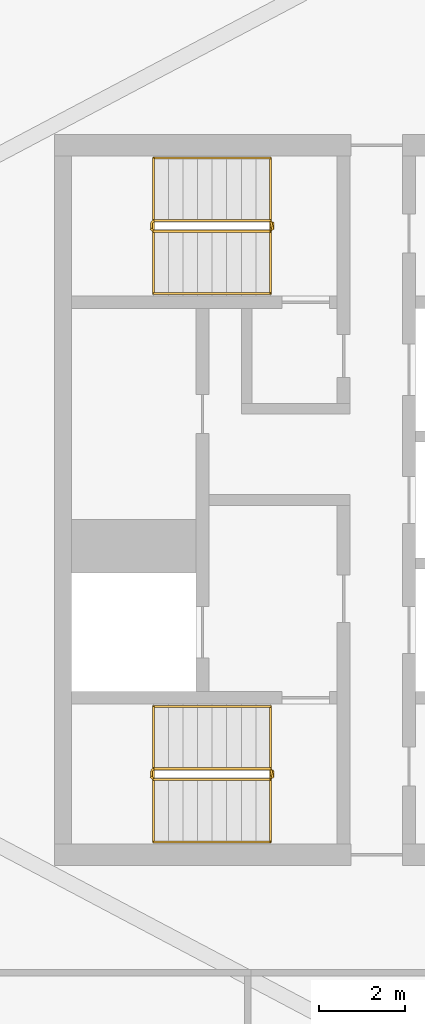
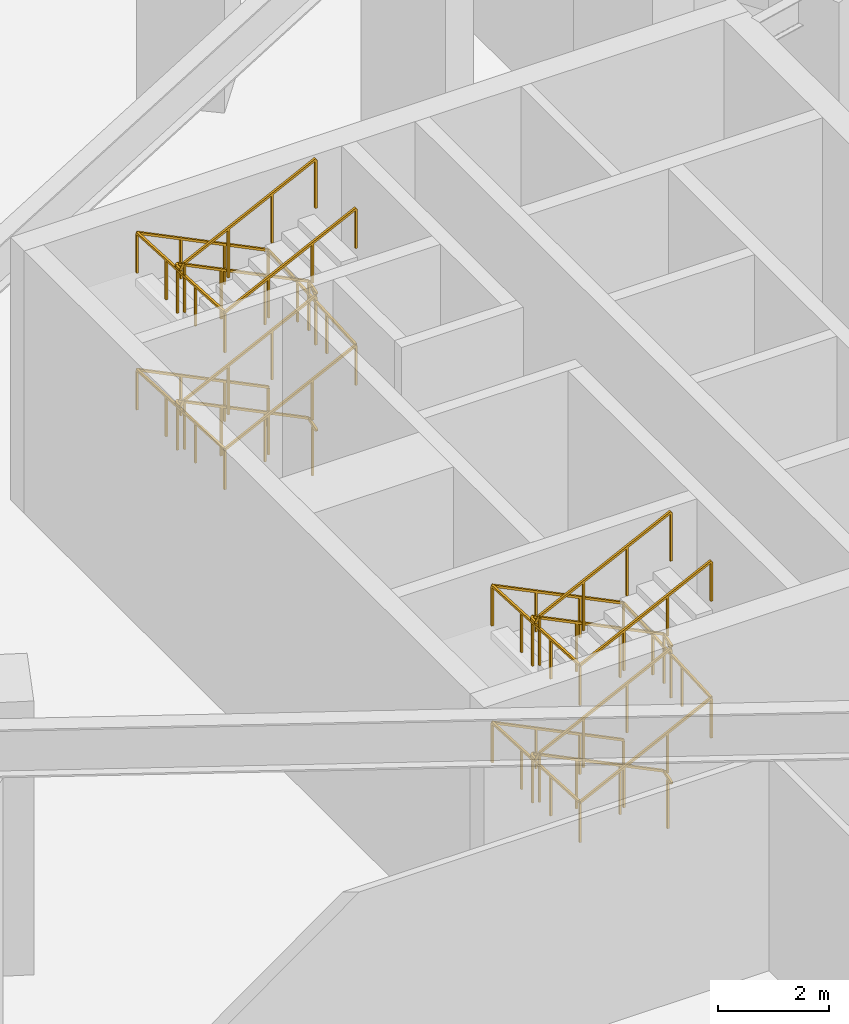
# One storey, part 66 of 74: 4 railings.
"""IFC4 building model written with IfcOpenShell, lengths in metres."""

from ifc_helpers import new_model, si_unit, direction, frame, origin, origin_2d, place, context, subcontext, project, spatial, rectangle, extrude, material, type_object, element, save


model = new_model("IFC4")

# Units and contexts
model_context = context("Model", 3, precision=1e-05, world=origin(), true_north=direction((0.0, 1.0)))
body_context = subcontext(model_context, "Body", "Model", "MODEL_VIEW")
ifc_project = project(units=[si_unit("LENGTHUNIT", "METRE"), si_unit("AREAUNIT", "SQUARE_METRE"), si_unit("VOLUMEUNIT", "CUBIC_METRE"), si_unit("PLANEANGLEUNIT", "RADIAN"), si_unit("MASSUNIT", "GRAM", prefix="KILO")], contexts=[model_context])

# Site, building, storey
site_placement = place(None, origin())
site = spatial("IfcSite", under=ifc_project, at=site_placement, CompositionType="ELEMENT")
building_placement = place(site_placement, origin())
building = spatial("IfcBuilding", under=site, at=building_placement, Name="Noorbagh Ring Tower", CompositionType="ELEMENT")
storey_placement = place(building_placement, frame((0.0, 0.0, 7.5)))
storey = spatial("IfcBuildingStorey", under=building, at=storey_placement, Name="L01", CompositionType="ELEMENT", Elevation=7.5)

# Railings
ifc_material_1 = material(Name="Stainless steel", Category="steel")
railing_type_1 = type_object("IfcRailingType", Name="CORE-STAIR-GUARD", PredefinedType="GUARDRAIL", material=ifc_material_1)
railing_1_placement = place(storey_placement, frame((21.580078125, 6.449951171875, 0.0)))
element("IfcRailing", 1, at=railing_1_placement, inside=storey, type_object=railing_type_1, Name="L01 ST3 stair guard", PredefinedType="GUARDRAIL", context=body_context, shape_type="SweptSolid", body=[
    extrude(rectangle(XDim=0.048095703125, YDim=0.048095703125, at=origin_2d()), frame((0.0, 0.0, 1.076171875), z_axis=(0.0, -1.0, 0.0), x_axis=(1.0, 0.0, 0.0)), (0.0, 0.0, 1.0), 0.14990234375),
    extrude(rectangle(XDim=0.048095703125, YDim=0.048095703125, at=origin_2d()), frame((0.0, -0.14990234375, 1.076171875), z_axis=(-0.188775798145, 0.754182335027, 0.628945707965), x_axis=(-0.970072785993, -0.242814311512, 0.0)), (0.0, 0.0, 1.0), 0.26513671875),
    extrude(rectangle(XDim=0.048095703125, YDim=0.048095703125, at=origin_2d()), frame((-0.050048828125, 0.050048828125, 1.24267578125), z_axis=(-0.897929466783, 0.0, 0.4401393787), x_axis=(0.0, -1.0, 0.0)), (0.0, 0.0, 1.0), 3.029052734375),
    extrude(rectangle(XDim=0.048095703125, YDim=0.048095703125, at=origin_2d()), frame((-2.77001953125, 0.050048828125, 2.576171875), z_axis=(-0.707106781187, -0.707106781187, 0.0), x_axis=(0.707106781187, -0.707106781187, 0.0)), (0.0, 0.0, 1.0), 0.07080078125),
    extrude(rectangle(XDim=0.048095703125, YDim=0.048095703125, at=origin_2d()), frame((-2.820068359375, 0.0, 2.576171875), z_axis=(0.0, -1.0, 0.0), x_axis=(1.0, 0.0, 0.0)), (0.0, 0.0, 1.0), 0.14990234375),
    extrude(rectangle(XDim=0.048095703125, YDim=0.048095703125, at=origin_2d()), frame((-2.820068359375, -0.14990234375, 2.576171875), z_axis=(0.27628659633, -0.27628659633, 0.920506074601), x_axis=(0.707106781187, 0.707106781187, 0.0)), (0.0, 0.0, 1.0), 0.18115234375),
    extrude(rectangle(XDim=0.048095703125, YDim=0.048095703125, at=origin_2d()), frame((-2.77001953125, -0.199951171875, 2.74267578125), z_axis=(0.897929466783, 0.0, 0.4401393787), x_axis=(0.0, 1.0, 0.0)), (0.0, 0.0, 1.0), 3.029052734375),
    extrude(rectangle(XDim=0.048095703125, YDim=0.048095703125, at=origin_2d()), frame((-0.050048828125, -0.199951171875, 4.076171875), z_axis=(0.242814311512, 0.970072785993, 0.0), x_axis=(-0.970072785993, 0.242814311512, 0.0)), (0.0, 0.0, 1.0), 0.2060546875),
    extrude(rectangle(XDim=0.048095703125, YDim=0.048095703125, at=origin_2d()), frame((0.0, 0.0, 4.076171875), z_axis=(0.0, -1.0, 0.0), x_axis=(1.0, 0.0, 0.0)), (0.0, 0.0, 1.0), 0.14990234375),
    extrude(rectangle(XDim=0.048095703125, YDim=0.048095703125, at=origin_2d()), frame((0.0, -0.14990234375, 4.076171875), z_axis=(-0.188775798145, 0.754182335027, 0.628945707965), x_axis=(-0.970072785993, -0.242814311512, 0.0)), (0.0, 0.0, 1.0), 0.26513671875),
    extrude(rectangle(XDim=0.048095703125, YDim=0.048095703125, at=origin_2d()), frame((-0.050048828125, 0.050048828125, 4.24267578125), z_axis=(-0.897929466783, 0.0, 0.4401393787), x_axis=(0.0, -1.0, 0.0)), (0.0, 0.0, 1.0), 3.029052734375),
    extrude(rectangle(XDim=0.048095703125, YDim=0.048095703125, at=origin_2d()), frame((-2.77001953125, 0.050048828125, 5.576171875), z_axis=(-0.707106781187, -0.707106781187, 0.0), x_axis=(0.707106781187, -0.707106781187, 0.0)), (0.0, 0.0, 1.0), 0.07080078125),
    extrude(rectangle(XDim=0.048095703125, YDim=0.048095703125, at=origin_2d()), frame((-2.820068359375, 0.0, 5.576171875), z_axis=(0.0, -1.0, 0.0), x_axis=(1.0, 0.0, 0.0)), (0.0, 0.0, 1.0), 0.14990234375),
    extrude(rectangle(XDim=0.048095703125, YDim=0.048095703125, at=origin_2d()), frame((-2.820068359375, -0.14990234375, 5.576171875), z_axis=(0.27628659633, -0.27628659633, 0.920506074601), x_axis=(0.707106781187, 0.707106781187, 0.0)), (0.0, 0.0, 1.0), 0.18115234375),
    extrude(rectangle(XDim=0.048095703125, YDim=0.048095703125, at=origin_2d()), frame((-2.77001953125, -0.199951171875, 5.74267578125), z_axis=(0.897929466783, 0.0, 0.4401393787), x_axis=(0.0, 1.0, 0.0)), (0.0, 0.0, 1.0), 3.029052734375),
    extrude(rectangle(XDim=0.0419921875, YDim=0.0419921875, at=origin_2d()), origin(), (0.0, 0.0, 1.0), 1.052001953125),
    extrude(rectangle(XDim=0.0419921875, YDim=0.0419921875, at=origin_2d()), frame((-0.956787109375, 0.050048828125, 0.611083984375)), (0.0, 0.0, 1.0), 1.052001953125),
    extrude(rectangle(XDim=0.0419921875, YDim=0.0419921875, at=origin_2d()), frame((-1.86328125, 0.050048828125, 1.0556640625)), (0.0, 0.0, 1.0), 1.052001953125),
    extrude(rectangle(XDim=0.0419921875, YDim=0.0419921875, at=origin_2d()), frame((-2.77001953125, 0.050048828125, 1.5)), (0.0, 0.0, 1.0), 1.052001953125),
    extrude(rectangle(XDim=0.0419921875, YDim=0.0419921875, at=origin_2d()), frame((-2.77001953125, -0.199951171875, 1.666748046875)), (0.0, 0.0, 1.0), 1.052001953125),
    extrude(rectangle(XDim=0.0419921875, YDim=0.0419921875, at=origin_2d()), frame((-1.86328125, -0.199951171875, 2.111083984375)), (0.0, 0.0, 1.0), 1.052001953125),
    extrude(rectangle(XDim=0.0419921875, YDim=0.0419921875, at=origin_2d()), frame((-0.956787109375, -0.199951171875, 2.5556640625)), (0.0, 0.0, 1.0), 1.052001953125),
    extrude(rectangle(XDim=0.0419921875, YDim=0.0419921875, at=origin_2d()), frame((-0.050048828125, -0.199951171875, 3.0)), (0.0, 0.0, 1.0), 1.052001953125),
    extrude(rectangle(XDim=0.0419921875, YDim=0.0419921875, at=origin_2d()), frame((-0.050048828125, 0.050048828125, 3.166748046875)), (0.0, 0.0, 1.0), 1.052001953125),
    extrude(rectangle(XDim=0.0419921875, YDim=0.0419921875, at=origin_2d()), frame((-0.956787109375, 0.050048828125, 3.611083984375)), (0.0, 0.0, 1.0), 1.052001953125),
    extrude(rectangle(XDim=0.0419921875, YDim=0.0419921875, at=origin_2d()), frame((-1.86328125, 0.050048828125, 4.0556640625)), (0.0, 0.0, 1.0), 1.052001953125),
    extrude(rectangle(XDim=0.0419921875, YDim=0.0419921875, at=origin_2d()), frame((-2.77001953125, 0.050048828125, 4.5)), (0.0, 0.0, 1.0), 1.052001953125),
    extrude(rectangle(XDim=0.0419921875, YDim=0.0419921875, at=origin_2d()), frame((-2.77001953125, -0.199951171875, 4.666748046875)), (0.0, 0.0, 1.0), 1.052001953125),
    extrude(rectangle(XDim=0.0419921875, YDim=0.0419921875, at=origin_2d()), frame((-1.86328125, -0.199951171875, 5.111083984375)), (0.0, 0.0, 1.0), 1.052001953125),
    extrude(rectangle(XDim=0.0419921875, YDim=0.0419921875, at=origin_2d()), frame((-0.956787109375, -0.199951171875, 5.5556640625)), (0.0, 0.0, 1.0), 1.052001953125),
    extrude(rectangle(XDim=0.0419921875, YDim=0.0419921875, at=origin_2d()), frame((-0.050048828125, -0.199951171875, 6.0)), (0.0, 0.0, 1.0), 1.052001953125),
])
railing_2_placement = place(storey_placement, frame((21.580078125, -6.300048828125, 0.0)))
element("IfcRailing", 2, at=railing_2_placement, inside=storey, type_object=railing_type_1, Name="L01 ST4 stair guard", PredefinedType="GUARDRAIL", context=body_context, shape_type="SweptSolid", body=[
    extrude(rectangle(XDim=0.048095703125, YDim=0.048095703125, at=origin_2d()), frame((0.0, 0.0, 1.076171875), z_axis=(0.0, -1.0, 0.0), x_axis=(1.0, 0.0, 0.0)), (0.0, 0.0, 1.0), 0.14990234375),
    extrude(rectangle(XDim=0.048095703125, YDim=0.048095703125, at=origin_2d()), frame((0.0, -0.14990234375, 1.076171875), z_axis=(-0.188775798145, 0.754182335027, 0.628945707965), x_axis=(-0.970072785993, -0.242814311512, 0.0)), (0.0, 0.0, 1.0), 0.26513671875),
    extrude(rectangle(XDim=0.048095703125, YDim=0.048095703125, at=origin_2d()), frame((-0.050048828125, 0.050048828125, 1.24267578125), z_axis=(-0.897929466783, 0.0, 0.4401393787), x_axis=(0.0, -1.0, 0.0)), (0.0, 0.0, 1.0), 3.029052734375),
    extrude(rectangle(XDim=0.048095703125, YDim=0.048095703125, at=origin_2d()), frame((-2.77001953125, 0.050048828125, 2.576171875), z_axis=(-0.707106781187, -0.707106781187, 0.0), x_axis=(0.707106781187, -0.707106781187, 0.0)), (0.0, 0.0, 1.0), 0.07080078125),
    extrude(rectangle(XDim=0.048095703125, YDim=0.048095703125, at=origin_2d()), frame((-2.820068359375, 0.0, 2.576171875), z_axis=(0.0, -1.0, 0.0), x_axis=(1.0, 0.0, 0.0)), (0.0, 0.0, 1.0), 0.14990234375),
    extrude(rectangle(XDim=0.048095703125, YDim=0.048095703125, at=origin_2d()), frame((-2.820068359375, -0.14990234375, 2.576171875), z_axis=(0.27628659633, -0.27628659633, 0.920506074601), x_axis=(0.707106781187, 0.707106781187, 0.0)), (0.0, 0.0, 1.0), 0.18115234375),
    extrude(rectangle(XDim=0.048095703125, YDim=0.048095703125, at=origin_2d()), frame((-2.77001953125, -0.199951171875, 2.74267578125), z_axis=(0.897929466783, 0.0, 0.4401393787), x_axis=(0.0, 1.0, 0.0)), (0.0, 0.0, 1.0), 3.029052734375),
    extrude(rectangle(XDim=0.048095703125, YDim=0.048095703125, at=origin_2d()), frame((-0.050048828125, -0.199951171875, 4.076171875), z_axis=(0.242814311512, 0.970072785993, 0.0), x_axis=(-0.970072785993, 0.242814311512, 0.0)), (0.0, 0.0, 1.0), 0.2060546875),
    extrude(rectangle(XDim=0.048095703125, YDim=0.048095703125, at=origin_2d()), frame((0.0, 0.0, 4.076171875), z_axis=(0.0, -1.0, 0.0), x_axis=(1.0, 0.0, 0.0)), (0.0, 0.0, 1.0), 0.14990234375),
    extrude(rectangle(XDim=0.048095703125, YDim=0.048095703125, at=origin_2d()), frame((0.0, -0.14990234375, 4.076171875), z_axis=(-0.188775798145, 0.754182335027, 0.628945707965), x_axis=(-0.970072785993, -0.242814311512, 0.0)), (0.0, 0.0, 1.0), 0.26513671875),
    extrude(rectangle(XDim=0.048095703125, YDim=0.048095703125, at=origin_2d()), frame((-0.050048828125, 0.050048828125, 4.24267578125), z_axis=(-0.897929466783, 0.0, 0.4401393787), x_axis=(0.0, -1.0, 0.0)), (0.0, 0.0, 1.0), 3.029052734375),
    extrude(rectangle(XDim=0.048095703125, YDim=0.048095703125, at=origin_2d()), frame((-2.77001953125, 0.050048828125, 5.576171875), z_axis=(-0.707106781187, -0.707106781187, 0.0), x_axis=(0.707106781187, -0.707106781187, 0.0)), (0.0, 0.0, 1.0), 0.07080078125),
    extrude(rectangle(XDim=0.048095703125, YDim=0.048095703125, at=origin_2d()), frame((-2.820068359375, 0.0, 5.576171875), z_axis=(0.0, -1.0, 0.0), x_axis=(1.0, 0.0, 0.0)), (0.0, 0.0, 1.0), 0.14990234375),
    extrude(rectangle(XDim=0.048095703125, YDim=0.048095703125, at=origin_2d()), frame((-2.820068359375, -0.14990234375, 5.576171875), z_axis=(0.27628659633, -0.27628659633, 0.920506074601), x_axis=(0.707106781187, 0.707106781187, 0.0)), (0.0, 0.0, 1.0), 0.18115234375),
    extrude(rectangle(XDim=0.048095703125, YDim=0.048095703125, at=origin_2d()), frame((-2.77001953125, -0.199951171875, 5.74267578125), z_axis=(0.897929466783, 0.0, 0.4401393787), x_axis=(0.0, 1.0, 0.0)), (0.0, 0.0, 1.0), 3.029052734375),
    extrude(rectangle(XDim=0.0419921875, YDim=0.0419921875, at=origin_2d()), origin(), (0.0, 0.0, 1.0), 1.052001953125),
    extrude(rectangle(XDim=0.0419921875, YDim=0.0419921875, at=origin_2d()), frame((-0.956787109375, 0.050048828125, 0.611083984375)), (0.0, 0.0, 1.0), 1.052001953125),
    extrude(rectangle(XDim=0.0419921875, YDim=0.0419921875, at=origin_2d()), frame((-1.86328125, 0.050048828125, 1.0556640625)), (0.0, 0.0, 1.0), 1.052001953125),
    extrude(rectangle(XDim=0.0419921875, YDim=0.0419921875, at=origin_2d()), frame((-2.77001953125, 0.050048828125, 1.5)), (0.0, 0.0, 1.0), 1.052001953125),
    extrude(rectangle(XDim=0.0419921875, YDim=0.0419921875, at=origin_2d()), frame((-2.77001953125, -0.199951171875, 1.666748046875)), (0.0, 0.0, 1.0), 1.052001953125),
    extrude(rectangle(XDim=0.0419921875, YDim=0.0419921875, at=origin_2d()), frame((-1.86328125, -0.199951171875, 2.111083984375)), (0.0, 0.0, 1.0), 1.052001953125),
    extrude(rectangle(XDim=0.0419921875, YDim=0.0419921875, at=origin_2d()), frame((-0.956787109375, -0.199951171875, 2.5556640625)), (0.0, 0.0, 1.0), 1.052001953125),
    extrude(rectangle(XDim=0.0419921875, YDim=0.0419921875, at=origin_2d()), frame((-0.050048828125, -0.199951171875, 3.0)), (0.0, 0.0, 1.0), 1.052001953125),
    extrude(rectangle(XDim=0.0419921875, YDim=0.0419921875, at=origin_2d()), frame((-0.050048828125, 0.050048828125, 3.166748046875)), (0.0, 0.0, 1.0), 1.052001953125),
    extrude(rectangle(XDim=0.0419921875, YDim=0.0419921875, at=origin_2d()), frame((-0.956787109375, 0.050048828125, 3.611083984375)), (0.0, 0.0, 1.0), 1.052001953125),
    extrude(rectangle(XDim=0.0419921875, YDim=0.0419921875, at=origin_2d()), frame((-1.86328125, 0.050048828125, 4.0556640625)), (0.0, 0.0, 1.0), 1.052001953125),
    extrude(rectangle(XDim=0.0419921875, YDim=0.0419921875, at=origin_2d()), frame((-2.77001953125, 0.050048828125, 4.5)), (0.0, 0.0, 1.0), 1.052001953125),
    extrude(rectangle(XDim=0.0419921875, YDim=0.0419921875, at=origin_2d()), frame((-2.77001953125, -0.199951171875, 4.666748046875)), (0.0, 0.0, 1.0), 1.052001953125),
    extrude(rectangle(XDim=0.0419921875, YDim=0.0419921875, at=origin_2d()), frame((-1.86328125, -0.199951171875, 5.111083984375)), (0.0, 0.0, 1.0), 1.052001953125),
    extrude(rectangle(XDim=0.0419921875, YDim=0.0419921875, at=origin_2d()), frame((-0.956787109375, -0.199951171875, 5.5556640625)), (0.0, 0.0, 1.0), 1.052001953125),
    extrude(rectangle(XDim=0.0419921875, YDim=0.0419921875, at=origin_2d()), frame((-0.050048828125, -0.199951171875, 6.0)), (0.0, 0.0, 1.0), 1.052001953125),
])
ifc_material_2 = material(Name="Stainless steel", Category="steel")
railing_type_2 = type_object("IfcRailingType", Name="CORE-STAIR-HANDRAIL", PredefinedType="HANDRAIL", material=ifc_material_2)
railing_3_placement = place(storey_placement, frame((21.530029296875, 7.949951171875, 0.166748046875)))
element("IfcRailing", 3, at=railing_3_placement, inside=storey, type_object=railing_type_2, Name="L01 ST3 stair handrail", PredefinedType="HANDRAIL", context=body_context, shape_type="SweptSolid", body=[
    extrude(rectangle(XDim=0.048095703125, YDim=0.048095703125, at=origin_2d()), frame((0.0, 0.0, 0.8759765625), z_axis=(-0.897929466783, 0.0, 0.4401393787), x_axis=(0.0, -1.0, 0.0)), (0.0, 0.0, 1.0), 3.029052734375),
    extrude(rectangle(XDim=0.048095703125, YDim=0.048095703125, at=origin_2d()), frame((-2.719970703125, 0.0, 2.208984375), z_axis=(0.0, -0.998601747152, 0.052863509014), x_axis=(1.0, 0.0, 0.0)), (0.0, 0.0, 1.0), 3.154296875),
    extrude(rectangle(XDim=0.048095703125, YDim=0.048095703125, at=origin_2d()), frame((-2.719970703125, -3.14990234375, 2.3759765625), z_axis=(0.897929466783, 0.0, 0.4401393787), x_axis=(0.0, 1.0, 0.0)), (0.0, 0.0, 1.0), 3.029052734375),
    extrude(rectangle(XDim=0.048095703125, YDim=0.048095703125, at=origin_2d()), frame((0.0, -3.14990234375, 3.708984375), z_axis=(0.0, 0.998601747152, 0.052863509014), x_axis=(-1.0, 0.0, 0.0)), (0.0, 0.0, 1.0), 3.154296875),
    extrude(rectangle(XDim=0.048095703125, YDim=0.048095703125, at=origin_2d()), frame((0.0, 0.0, 3.8759765625), z_axis=(-0.897929466783, 0.0, 0.4401393787), x_axis=(0.0, -1.0, 0.0)), (0.0, 0.0, 1.0), 3.029052734375),
    extrude(rectangle(XDim=0.048095703125, YDim=0.048095703125, at=origin_2d()), frame((-2.719970703125, 0.0, 5.208984375), z_axis=(0.0, -0.998601747152, 0.052863509014), x_axis=(1.0, 0.0, 0.0)), (0.0, 0.0, 1.0), 3.154296875),
    extrude(rectangle(XDim=0.048095703125, YDim=0.048095703125, at=origin_2d()), frame((-2.719970703125, -3.14990234375, 5.3759765625), z_axis=(0.897929466783, 0.0, 0.4401393787), x_axis=(0.0, 1.0, 0.0)), (0.0, 0.0, 1.0), 3.029052734375),
    extrude(rectangle(XDim=0.0419921875, YDim=0.0419921875, at=origin_2d()), origin(), (0.0, 0.0, 1.0), 0.851806640625),
    extrude(rectangle(XDim=0.0419921875, YDim=0.0419921875, at=origin_2d()), frame((-0.90673828125, 0.0, 0.4443359375)), (0.0, 0.0, 1.0), 0.851806640625),
    extrude(rectangle(XDim=0.0419921875, YDim=0.0419921875, at=origin_2d()), frame((-1.813232421875, 0.0, 0.888916015625)), (0.0, 0.0, 1.0), 0.851806640625),
    extrude(rectangle(XDim=0.0419921875, YDim=0.0419921875, at=origin_2d()), frame((-2.719970703125, 0.0, 1.333251953125)), (0.0, 0.0, 1.0), 0.851806640625),
    extrude(rectangle(XDim=0.0419921875, YDim=0.0419921875, at=origin_2d()), frame((-2.719970703125, -1.050048828125, 1.388916015625)), (0.0, 0.0, 1.0), 0.851806640625),
    extrude(rectangle(XDim=0.0419921875, YDim=0.0419921875, at=origin_2d()), frame((-2.719970703125, -2.099853515625, 1.4443359375)), (0.0, 0.0, 1.0), 0.851806640625),
    extrude(rectangle(XDim=0.0419921875, YDim=0.0419921875, at=origin_2d()), frame((-2.719970703125, -3.14990234375, 1.5)), (0.0, 0.0, 1.0), 0.851806640625),
    extrude(rectangle(XDim=0.0419921875, YDim=0.0419921875, at=origin_2d()), frame((-1.813232421875, -3.14990234375, 1.9443359375)), (0.0, 0.0, 1.0), 0.851806640625),
    extrude(rectangle(XDim=0.0419921875, YDim=0.0419921875, at=origin_2d()), frame((-0.90673828125, -3.14990234375, 2.388916015625)), (0.0, 0.0, 1.0), 0.851806640625),
    extrude(rectangle(XDim=0.0419921875, YDim=0.0419921875, at=origin_2d()), frame((0.0, -3.14990234375, 2.833251953125)), (0.0, 0.0, 1.0), 0.851806640625),
    extrude(rectangle(XDim=0.0419921875, YDim=0.0419921875, at=origin_2d()), frame((0.0, -2.099853515625, 2.888916015625)), (0.0, 0.0, 1.0), 0.851806640625),
    extrude(rectangle(XDim=0.0419921875, YDim=0.0419921875, at=origin_2d()), frame((0.0, -1.050048828125, 2.9443359375)), (0.0, 0.0, 1.0), 0.851806640625),
    extrude(rectangle(XDim=0.0419921875, YDim=0.0419921875, at=origin_2d()), frame((0.0, 0.0, 3.0)), (0.0, 0.0, 1.0), 0.851806640625),
    extrude(rectangle(XDim=0.0419921875, YDim=0.0419921875, at=origin_2d()), frame((-0.90673828125, 0.0, 3.4443359375)), (0.0, 0.0, 1.0), 0.851806640625),
    extrude(rectangle(XDim=0.0419921875, YDim=0.0419921875, at=origin_2d()), frame((-1.813232421875, 0.0, 3.888916015625)), (0.0, 0.0, 1.0), 0.851806640625),
    extrude(rectangle(XDim=0.0419921875, YDim=0.0419921875, at=origin_2d()), frame((-2.719970703125, 0.0, 4.333251953125)), (0.0, 0.0, 1.0), 0.851806640625),
    extrude(rectangle(XDim=0.0419921875, YDim=0.0419921875, at=origin_2d()), frame((-2.719970703125, -1.050048828125, 4.388916015625)), (0.0, 0.0, 1.0), 0.851806640625),
    extrude(rectangle(XDim=0.0419921875, YDim=0.0419921875, at=origin_2d()), frame((-2.719970703125, -2.099853515625, 4.4443359375)), (0.0, 0.0, 1.0), 0.851806640625),
    extrude(rectangle(XDim=0.0419921875, YDim=0.0419921875, at=origin_2d()), frame((-2.719970703125, -3.14990234375, 4.5)), (0.0, 0.0, 1.0), 0.851806640625),
    extrude(rectangle(XDim=0.0419921875, YDim=0.0419921875, at=origin_2d()), frame((-1.813232421875, -3.14990234375, 4.9443359375)), (0.0, 0.0, 1.0), 0.851806640625),
    extrude(rectangle(XDim=0.0419921875, YDim=0.0419921875, at=origin_2d()), frame((-0.90673828125, -3.14990234375, 5.388916015625)), (0.0, 0.0, 1.0), 0.851806640625),
    extrude(rectangle(XDim=0.0419921875, YDim=0.0419921875, at=origin_2d()), frame((0.0, -3.14990234375, 5.833251953125)), (0.0, 0.0, 1.0), 0.851806640625),
])
railing_4_placement = place(storey_placement, frame((21.530029296875, -4.800048828125, 0.166748046875)))
element("IfcRailing", 4, at=railing_4_placement, inside=storey, type_object=railing_type_2, Name="L01 ST4 stair handrail", PredefinedType="HANDRAIL", context=body_context, shape_type="SweptSolid", body=[
    extrude(rectangle(XDim=0.048095703125, YDim=0.048095703125, at=origin_2d()), frame((0.0, 0.0, 0.8759765625), z_axis=(-0.897929466783, 0.0, 0.4401393787), x_axis=(0.0, -1.0, 0.0)), (0.0, 0.0, 1.0), 3.029052734375),
    extrude(rectangle(XDim=0.048095703125, YDim=0.048095703125, at=origin_2d()), frame((-2.719970703125, 0.0, 2.208984375), z_axis=(0.0, -0.998601747152, 0.052863509014), x_axis=(1.0, 0.0, 0.0)), (0.0, 0.0, 1.0), 3.154296875),
    extrude(rectangle(XDim=0.048095703125, YDim=0.048095703125, at=origin_2d()), frame((-2.719970703125, -3.14990234375, 2.3759765625), z_axis=(0.897929466783, 0.0, 0.4401393787), x_axis=(0.0, 1.0, 0.0)), (0.0, 0.0, 1.0), 3.029052734375),
    extrude(rectangle(XDim=0.048095703125, YDim=0.048095703125, at=origin_2d()), frame((0.0, -3.14990234375, 3.708984375), z_axis=(0.0, 0.998601747152, 0.052863509014), x_axis=(-1.0, 0.0, 0.0)), (0.0, 0.0, 1.0), 3.154296875),
    extrude(rectangle(XDim=0.048095703125, YDim=0.048095703125, at=origin_2d()), frame((0.0, 0.0, 3.8759765625), z_axis=(-0.897929466783, 0.0, 0.4401393787), x_axis=(0.0, -1.0, 0.0)), (0.0, 0.0, 1.0), 3.029052734375),
    extrude(rectangle(XDim=0.048095703125, YDim=0.048095703125, at=origin_2d()), frame((-2.719970703125, 0.0, 5.208984375), z_axis=(0.0, -0.998601747152, 0.052863509014), x_axis=(1.0, 0.0, 0.0)), (0.0, 0.0, 1.0), 3.154296875),
    extrude(rectangle(XDim=0.048095703125, YDim=0.048095703125, at=origin_2d()), frame((-2.719970703125, -3.14990234375, 5.3759765625), z_axis=(0.897929466783, 0.0, 0.4401393787), x_axis=(0.0, 1.0, 0.0)), (0.0, 0.0, 1.0), 3.029052734375),
    extrude(rectangle(XDim=0.0419921875, YDim=0.0419921875, at=origin_2d()), origin(), (0.0, 0.0, 1.0), 0.851806640625),
    extrude(rectangle(XDim=0.0419921875, YDim=0.0419921875, at=origin_2d()), frame((-0.90673828125, 0.0, 0.4443359375)), (0.0, 0.0, 1.0), 0.851806640625),
    extrude(rectangle(XDim=0.0419921875, YDim=0.0419921875, at=origin_2d()), frame((-1.813232421875, 0.0, 0.888916015625)), (0.0, 0.0, 1.0), 0.851806640625),
    extrude(rectangle(XDim=0.0419921875, YDim=0.0419921875, at=origin_2d()), frame((-2.719970703125, 0.0, 1.333251953125)), (0.0, 0.0, 1.0), 0.851806640625),
    extrude(rectangle(XDim=0.0419921875, YDim=0.0419921875, at=origin_2d()), frame((-2.719970703125, -1.050048828125, 1.388916015625)), (0.0, 0.0, 1.0), 0.851806640625),
    extrude(rectangle(XDim=0.0419921875, YDim=0.0419921875, at=origin_2d()), frame((-2.719970703125, -2.099853515625, 1.4443359375)), (0.0, 0.0, 1.0), 0.851806640625),
    extrude(rectangle(XDim=0.0419921875, YDim=0.0419921875, at=origin_2d()), frame((-2.719970703125, -3.14990234375, 1.5)), (0.0, 0.0, 1.0), 0.851806640625),
    extrude(rectangle(XDim=0.0419921875, YDim=0.0419921875, at=origin_2d()), frame((-1.813232421875, -3.14990234375, 1.9443359375)), (0.0, 0.0, 1.0), 0.851806640625),
    extrude(rectangle(XDim=0.0419921875, YDim=0.0419921875, at=origin_2d()), frame((-0.90673828125, -3.14990234375, 2.388916015625)), (0.0, 0.0, 1.0), 0.851806640625),
    extrude(rectangle(XDim=0.0419921875, YDim=0.0419921875, at=origin_2d()), frame((0.0, -3.14990234375, 2.833251953125)), (0.0, 0.0, 1.0), 0.851806640625),
    extrude(rectangle(XDim=0.0419921875, YDim=0.0419921875, at=origin_2d()), frame((0.0, -2.099853515625, 2.888916015625)), (0.0, 0.0, 1.0), 0.851806640625),
    extrude(rectangle(XDim=0.0419921875, YDim=0.0419921875, at=origin_2d()), frame((0.0, -1.050048828125, 2.9443359375)), (0.0, 0.0, 1.0), 0.851806640625),
    extrude(rectangle(XDim=0.0419921875, YDim=0.0419921875, at=origin_2d()), frame((0.0, 0.0, 3.0)), (0.0, 0.0, 1.0), 0.851806640625),
    extrude(rectangle(XDim=0.0419921875, YDim=0.0419921875, at=origin_2d()), frame((-0.90673828125, 0.0, 3.4443359375)), (0.0, 0.0, 1.0), 0.851806640625),
    extrude(rectangle(XDim=0.0419921875, YDim=0.0419921875, at=origin_2d()), frame((-1.813232421875, 0.0, 3.888916015625)), (0.0, 0.0, 1.0), 0.851806640625),
    extrude(rectangle(XDim=0.0419921875, YDim=0.0419921875, at=origin_2d()), frame((-2.719970703125, 0.0, 4.333251953125)), (0.0, 0.0, 1.0), 0.851806640625),
    extrude(rectangle(XDim=0.0419921875, YDim=0.0419921875, at=origin_2d()), frame((-2.719970703125, -1.050048828125, 4.388916015625)), (0.0, 0.0, 1.0), 0.851806640625),
    extrude(rectangle(XDim=0.0419921875, YDim=0.0419921875, at=origin_2d()), frame((-2.719970703125, -2.099853515625, 4.4443359375)), (0.0, 0.0, 1.0), 0.851806640625),
    extrude(rectangle(XDim=0.0419921875, YDim=0.0419921875, at=origin_2d()), frame((-2.719970703125, -3.14990234375, 4.5)), (0.0, 0.0, 1.0), 0.851806640625),
    extrude(rectangle(XDim=0.0419921875, YDim=0.0419921875, at=origin_2d()), frame((-1.813232421875, -3.14990234375, 4.9443359375)), (0.0, 0.0, 1.0), 0.851806640625),
    extrude(rectangle(XDim=0.0419921875, YDim=0.0419921875, at=origin_2d()), frame((-0.90673828125, -3.14990234375, 5.388916015625)), (0.0, 0.0, 1.0), 0.851806640625),
    extrude(rectangle(XDim=0.0419921875, YDim=0.0419921875, at=origin_2d()), frame((0.0, -3.14990234375, 5.833251953125)), (0.0, 0.0, 1.0), 0.851806640625),
])

save(model, "model.ifc")
